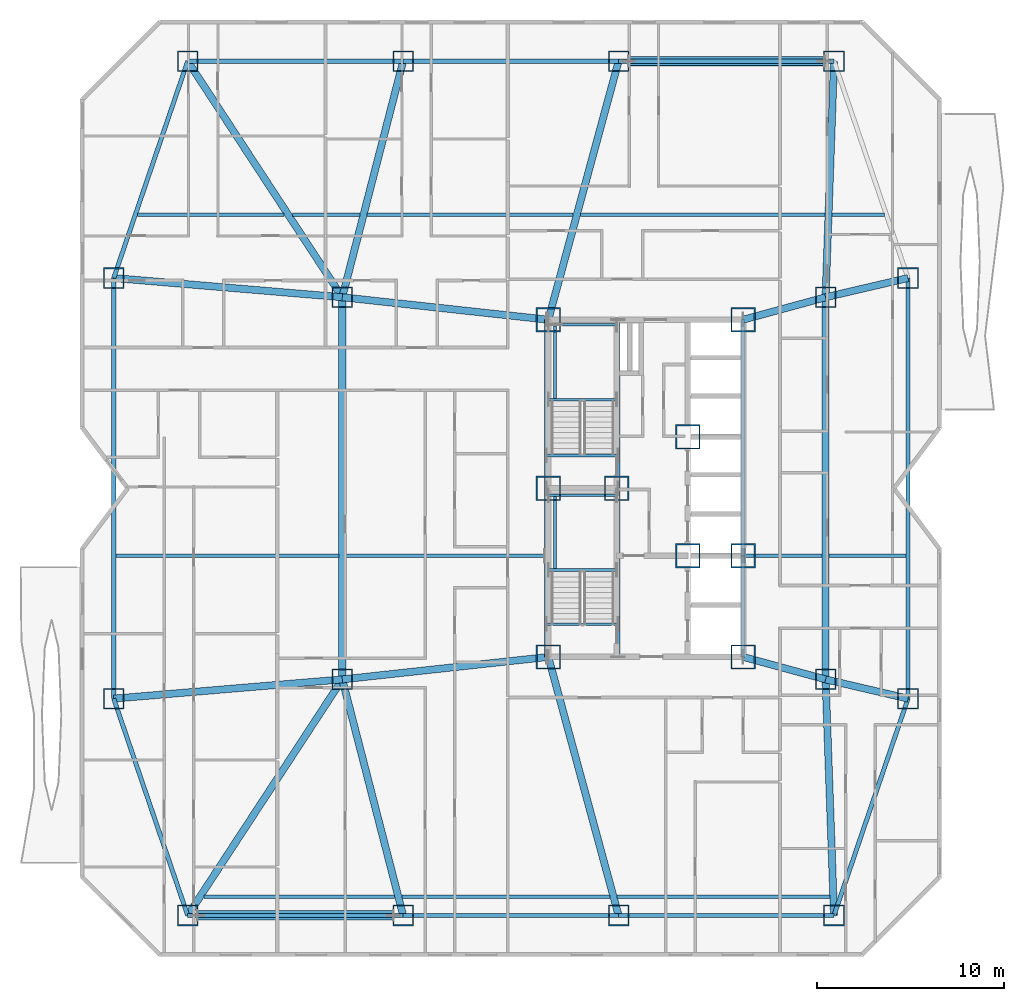
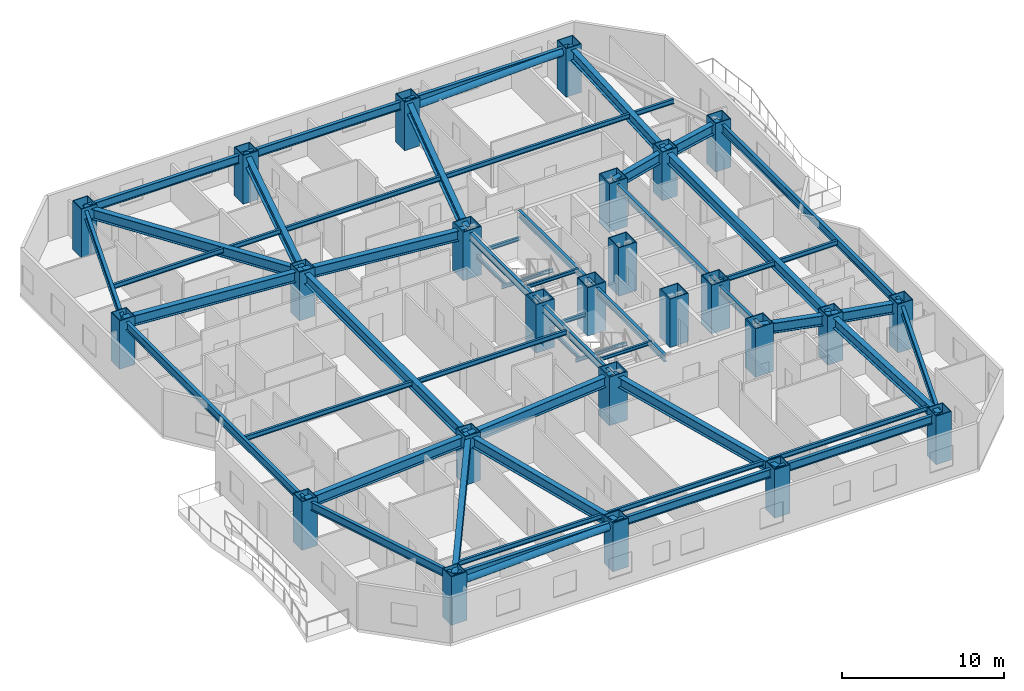
# One storey, part 1 of 16: 55 beams, 25 columns, 2 members.
"""IFC4 building model written with IfcOpenShell, lengths in metres."""

from ifc_helpers import new_model, si_unit, direction, frame, origin, origin_2d, place, context, subcontext, project, spatial, hollow_rectangle, hollow_circle, i_section, extrude, material, material_profile, profile_set, type_object, element, save


model = new_model("IFC4")

# Units and contexts
model_context = context("Model", 3, precision=1e-05, world=origin(), true_north=direction((0.0, 1.0)))
body_context = subcontext(model_context, "Body", "Model", "MODEL_VIEW")
ifc_project = project(units=[si_unit("LENGTHUNIT", "METRE"), si_unit("AREAUNIT", "SQUARE_METRE"), si_unit("VOLUMEUNIT", "CUBIC_METRE"), si_unit("PLANEANGLEUNIT", "RADIAN"), si_unit("MASSUNIT", "GRAM", prefix="KILO")], contexts=[model_context])

# Site, building, storey
site_placement = place(None, origin())
site = spatial("IfcSite", under=ifc_project, at=site_placement, CompositionType="ELEMENT")
building_placement = place(site_placement, origin())
building = spatial("IfcBuilding", under=site, at=building_placement, Name="Khamvora Tower", CompositionType="ELEMENT")
storey_placement = place(building_placement, frame((0.0, 0.0, 66.14990234375)))
storey = spatial("IfcBuildingStorey", under=building, at=storey_placement, Name="L16", CompositionType="ELEMENT", Elevation=66.14990234375)

# Columns
ifc_material_1 = material(Name="Steel S460", Category="steel")
ifc_material_profile_1 = material_profile(ifc_material_1, hollow_rectangle(XDim=1.10009765625, YDim=1.10009765625, WallThickness=0.054931640625, at=origin_2d()), Name="BOX1100x1100x55")
ifc_profile_set_1 = profile_set([ifc_material_profile_1], Name="Steel S460")
column_type_1 = type_object("IfcColumnType", Name="COL-BOX1100", PredefinedType="COLUMN", material=ifc_profile_set_1)
for number, where, z_axis, x_axis, name in (
    (1, (9.75, 5.199951171875, 0.0), (0.0, 0.0, 1.0), (1.0, 0.0, 0.0), "L16 structural frame column S1"),
    (2, (21.25, 5.199951171875, 0.0), (0.0, 0.0, 1.0), (1.0, 0.0, 0.0), "L16 structural frame column S2"),
    (3, (32.75, 5.199951171875, 0.0), (0.0, 0.0, 1.0), (1.0, 0.0, 0.0), "L16 structural frame column S3"),
    (4, (44.25, 5.199951171875, 0.0), (0.0, 0.0, 1.0), (1.0, 0.0, 0.0), "L16 structural frame column S4"),
    (5, (9.75, 50.800048828125, 0.0), (0.0, 0.0, 1.0), (1.0, 0.0, 0.0), "L16 structural frame column N1"),
    (6, (21.25, 50.800048828125, 0.0), (0.0, 0.0, 1.0), (1.0, 0.0, 0.0), "L16 structural frame column N2"),
    (7, (32.75, 50.800048828125, 0.0), (0.0, 0.0, 1.0), (1.0, 0.0, 0.0), "L16 structural frame column N3"),
    (8, (44.25, 50.800048828125, 0.0), (0.0, 0.0, 1.0), (1.0, 0.0, 0.0), "L16 structural frame column N4"),
    (9, (5.800048828125, 16.77490234375, 0.0), (0.0, 0.0, 1.0), (1.0, 0.0, 0.0), "L16 structural frame column W1"),
    (10, (5.800048828125, 39.22509765625, 0.0), (0.0, 0.0, 1.0), (1.0, 0.0, 0.0), "L16 structural frame column W2"),
    (11, (48.199951171875, 16.77490234375, 0.0), (0.0, 0.0, 1.0), (1.0, 0.0, 0.0), "L16 structural frame column E1"),
    (12, (48.199951171875, 39.22509765625, 0.0), (0.0, 0.0, 1.0), (1.0, 0.0, 0.0), "L16 structural frame column E2"),
    (13, (18.0, 17.800048828125, 0.0), (0.0, 0.0, 1.0), (1.0, 0.0, 0.0), "L16 structural frame column MW1"),
    (14, (18.0, 38.199951171875, 0.0), (0.0, 0.0, 1.0), (1.0, 0.0, 0.0), "L16 structural frame column MW2"),
    (15, (43.800048828125, 17.800048828125, 0.0), (0.0, 0.0, 1.0), (1.0, 0.0, 0.0), "L16 structural frame column M1"),
    (16, (43.800048828125, 38.199951171875, 0.0), (0.0, 0.0, 1.0), (1.0, 0.0, 0.0), "L16 structural frame column M2"),
):
    element("IfcColumn", number, at=place(storey_placement, frame(where, z_axis=z_axis, x_axis=x_axis)), inside=storey, type_object=column_type_1, Name=name, PredefinedType="COLUMN", context=body_context, shape_type="SweptSolid", body=[
        extrude(hollow_rectangle(XDim=1.10009765625, YDim=1.10009765625, WallThickness=0.054931640625, at=origin_2d()), origin(), (0.0, 0.0, 1.0), 3.650146484375),
    ])
ifc_material_profile_2 = material_profile(ifc_material_1, hollow_rectangle(XDim=1.300048828125, YDim=1.300048828125, WallThickness=0.06494140625, at=origin_2d()), Name="BOX1300x1300x65")
ifc_profile_set_2 = profile_set([ifc_material_profile_2], Name="Steel S460")
column_type_2 = type_object("IfcColumnType", Name="COL-BOX1300", PredefinedType="COLUMN", material=ifc_profile_set_2)
for number, where, z_axis, x_axis, name in (
    (17, (29.0, 19.0, 0.0), (0.0, 0.0, 1.0), (1.0, 0.0, 0.0), "L16 plumb core spine column SC1"),
    (18, (32.64990234375, 28.0, 0.0), (0.0, 0.0, 1.0), (1.0, 0.0, 0.0), "L16 plumb core spine column SC2"),
    (19, (39.39990234375, 19.0, 0.0), (0.0, 0.0, 1.0), (1.0, 0.0, 0.0), "L16 plumb core spine column SC3"),
    (20, (29.0, 28.0, 0.0), (0.0, 0.0, 1.0), (1.0, 0.0, 0.0), "L16 plumb core spine column SC4"),
    (21, (36.449951171875, 24.39990234375, 0.0), (0.0, 0.0, 1.0), (1.0, 0.0, 0.0), "L16 plumb core spine column SC5"),
    (22, (39.39990234375, 24.39990234375, 0.0), (0.0, 0.0, 1.0), (1.0, 0.0, 0.0), "L16 plumb core spine column SC6"),
    (23, (29.0, 37.0, 0.0), (0.0, 0.0, 1.0), (1.0, 0.0, 0.0), "L16 plumb core spine column SC7"),
    (24, (36.449951171875, 30.75, 0.0), (0.0, 0.0, 1.0), (1.0, 0.0, 0.0), "L16 plumb core spine column SC8"),
    (25, (39.39990234375, 37.0, 0.0), (0.0, 0.0, 1.0), (1.0, 0.0, 0.0), "L16 plumb core spine column SC9"),
):
    element("IfcColumn", number, at=place(storey_placement, frame(where, z_axis=z_axis, x_axis=x_axis)), inside=storey, type_object=column_type_2, Name=name, PredefinedType="COLUMN", context=body_context, shape_type="SweptSolid", body=[
        extrude(hollow_rectangle(XDim=1.300048828125, YDim=1.300048828125, WallThickness=0.06494140625, at=origin_2d()), origin(), (0.0, 0.0, 1.0), 3.650146484375),
    ])

# Beams
ifc_material_2 = material(Name="Steel S355", Category="steel")
ifc_material_profile_3 = material_profile(ifc_material_2, i_section(OverallWidth=0.1708984375, OverallDepth=0.35498046875, WebThickness=0.007080078125, FlangeThickness=0.011962890625, FilletRadius=0.010009765625, at=origin_2d()), Name="W360x51")
ifc_profile_set_3 = profile_set([ifc_material_profile_3], Name="Steel S355")
beam_type_1 = type_object("IfcBeamType", Name="BM-JS-W360x51", PredefinedType="JOIST", material=ifc_profile_set_3)
beam_1_placement = place(storey_placement, frame((10.626953125, 6.199951171875, 3.253173828125), z_axis=(1.0, 0.0, 0.0), x_axis=(0.0, 1.0, 0.0)))
element("IfcBeam", 26, at=beam_1_placement, inside=storey, type_object=beam_type_1, Name="L16 secondary floor joist 01", PredefinedType="JOIST", context=body_context, shape_type="SweptSolid", body=[
    extrude(i_section(OverallWidth=0.1708984375, OverallDepth=0.35498046875, WebThickness=0.007080078125, FlangeThickness=0.011962890625, FilletRadius=0.010009765625, at=origin_2d()), origin(), (0.0, 0.0, 1.0), 10.173095703125),
])
beam_2_placement = place(storey_placement, frame((21.18408203125, 6.199951171875, 3.253173828125), z_axis=(1.0, 0.0, 0.0), x_axis=(0.0, 1.0, 0.0)))
element("IfcBeam", 27, at=beam_2_placement, inside=storey, type_object=beam_type_1, Name="L16 secondary floor joist 02", PredefinedType="JOIST", context=body_context, shape_type="SweptSolid", body=[
    extrude(i_section(OverallWidth=0.1708984375, OverallDepth=0.35498046875, WebThickness=0.007080078125, FlangeThickness=0.011962890625, FilletRadius=0.010009765625, at=origin_2d()), origin(), (0.0, 0.0, 1.0), 11.101806640625),
])
beam_3_placement = place(storey_placement, frame((32.6708984375, 6.199951171875, 3.253173828125), z_axis=(1.0, 0.0, 0.0), x_axis=(0.0, 1.0, 0.0)))
element("IfcBeam", 28, at=beam_3_placement, inside=storey, type_object=beam_type_1, Name="L16 secondary floor joist 03", PredefinedType="JOIST", context=body_context, shape_type="SweptSolid", body=[
    extrude(i_section(OverallWidth=0.1708984375, OverallDepth=0.35498046875, WebThickness=0.007080078125, FlangeThickness=0.011962890625, FilletRadius=0.010009765625, at=origin_2d()), origin(), (0.0, 0.0, 1.0), 11.358154296875),
])
beam_4_placement = place(storey_placement, frame((5.909912109375, 24.39990234375, 3.253173828125), z_axis=(1.0, 0.0, 0.0), x_axis=(0.0, 1.0, 0.0)))
element("IfcBeam", 29, at=beam_4_placement, inside=storey, type_object=beam_type_1, Name="L16 secondary floor joist 04", PredefinedType="JOIST", context=body_context, shape_type="SweptSolid", body=[
    extrude(i_section(OverallWidth=0.1708984375, OverallDepth=0.35498046875, WebThickness=0.007080078125, FlangeThickness=0.011962890625, FilletRadius=0.010009765625, at=origin_2d()), origin(), (0.0, 0.0, 1.0), 11.904052734375),
])
beam_5_placement = place(storey_placement, frame((18.18603515625, 24.39990234375, 3.253173828125), z_axis=(1.0, 0.0, 0.0), x_axis=(0.0, 1.0, 0.0)))
element("IfcBeam", 30, at=beam_5_placement, inside=storey, type_object=beam_type_1, Name="L16 secondary floor joist 05", PredefinedType="JOIST", context=body_context, shape_type="SweptSolid", body=[
    extrude(i_section(OverallWidth=0.1708984375, OverallDepth=0.35498046875, WebThickness=0.007080078125, FlangeThickness=0.011962890625, FilletRadius=0.010009765625, at=origin_2d()), origin(), (0.0, 0.0, 1.0), 10.614013671875),
])
beam_6_placement = place(storey_placement, frame((39.4990234375, 24.39990234375, 3.253173828125), z_axis=(1.0, 0.0, 0.0), x_axis=(0.0, 1.0, 0.0)))
element("IfcBeam", 31, at=beam_6_placement, inside=storey, type_object=beam_type_1, Name="L16 secondary floor joist 06", PredefinedType="JOIST", context=body_context, shape_type="SweptSolid", body=[
    extrude(i_section(OverallWidth=0.1708984375, OverallDepth=0.35498046875, WebThickness=0.007080078125, FlangeThickness=0.011962890625, FilletRadius=0.010009765625, at=origin_2d()), origin(), (0.0, 0.0, 1.0), 4.114990234375),
])
beam_7_placement = place(storey_placement, frame((43.985107421875, 24.39990234375, 3.253173828125), z_axis=(1.0, 0.0, 0.0), x_axis=(0.0, 1.0, 0.0)))
element("IfcBeam", 32, at=beam_7_placement, inside=storey, type_object=beam_type_1, Name="L16 secondary floor joist 07", PredefinedType="JOIST", context=body_context, shape_type="SweptSolid", body=[
    extrude(i_section(OverallWidth=0.1708984375, OverallDepth=0.35498046875, WebThickness=0.007080078125, FlangeThickness=0.011962890625, FilletRadius=0.010009765625, at=origin_2d()), origin(), (0.0, 0.0, 1.0), 4.10498046875),
])
beam_8_placement = place(storey_placement, frame((7.068115234375, 42.60009765625, 3.253173828125), z_axis=(1.0, 0.0, 0.0), x_axis=(0.0, 1.0, 0.0)))
element("IfcBeam", 33, at=beam_8_placement, inside=storey, type_object=beam_type_1, Name="L16 secondary floor joist 08", PredefinedType="JOIST", context=body_context, shape_type="SweptSolid", body=[
    extrude(i_section(OverallWidth=0.1708984375, OverallDepth=0.35498046875, WebThickness=0.007080078125, FlangeThickness=0.011962890625, FilletRadius=0.010009765625, at=origin_2d()), origin(), (0.0, 0.0, 1.0), 7.827880859375),
])
beam_9_placement = place(storey_placement, frame((15.342041015625, 42.60009765625, 3.253173828125), z_axis=(1.0, 0.0, 0.0), x_axis=(0.0, 1.0, 0.0)))
element("IfcBeam", 34, at=beam_9_placement, inside=storey, type_object=beam_type_1, Name="L16 secondary floor joist 09", PredefinedType="JOIST", context=body_context, shape_type="SweptSolid", body=[
    extrude(i_section(OverallWidth=0.1708984375, OverallDepth=0.35498046875, WebThickness=0.007080078125, FlangeThickness=0.011962890625, FilletRadius=0.010009765625, at=origin_2d()), origin(), (0.0, 0.0, 1.0), 3.60107421875),
])
beam_10_placement = place(storey_placement, frame((19.326904296875, 42.60009765625, 3.253173828125), z_axis=(1.0, 0.0, 0.0), x_axis=(0.0, 1.0, 0.0)))
element("IfcBeam", 35, at=beam_10_placement, inside=storey, type_object=beam_type_1, Name="L16 secondary floor joist 10", PredefinedType="JOIST", context=body_context, shape_type="SweptSolid", body=[
    extrude(i_section(OverallWidth=0.1708984375, OverallDepth=0.35498046875, WebThickness=0.007080078125, FlangeThickness=0.011962890625, FilletRadius=0.010009765625, at=origin_2d()), origin(), (0.0, 0.0, 1.0), 11.002197265625),
])
beam_11_placement = place(storey_placement, frame((30.714111328125, 42.60009765625, 3.253173828125), z_axis=(1.0, 0.0, 0.0), x_axis=(0.0, 1.0, 0.0)))
element("IfcBeam", 36, at=beam_11_placement, inside=storey, type_object=beam_type_1, Name="L16 secondary floor joist 11", PredefinedType="JOIST", context=body_context, shape_type="SweptSolid", body=[
    extrude(i_section(OverallWidth=0.1708984375, OverallDepth=0.35498046875, WebThickness=0.007080078125, FlangeThickness=0.011962890625, FilletRadius=0.010009765625, at=origin_2d()), origin(), (0.0, 0.0, 1.0), 13.057861328125),
])
beam_12_placement = place(storey_placement, frame((44.14306640625, 42.60009765625, 3.253173828125), z_axis=(1.0, 0.0, 0.0), x_axis=(0.0, 1.0, 0.0)))
element("IfcBeam", 37, at=beam_12_placement, inside=storey, type_object=beam_type_1, Name="L16 secondary floor joist 12", PredefinedType="JOIST", context=body_context, shape_type="SweptSolid", body=[
    extrude(i_section(OverallWidth=0.1708984375, OverallDepth=0.35498046875, WebThickness=0.007080078125, FlangeThickness=0.011962890625, FilletRadius=0.010009765625, at=origin_2d()), origin(), (0.0, 0.0, 1.0), 2.788818359375),
])
ifc_material_profile_4 = material_profile(ifc_material_2, i_section(OverallWidth=0.14697265625, OverallDepth=0.261962890625, WebThickness=0.007080078125, FlangeThickness=0.010986328125, FilletRadius=0.008056640625, at=origin_2d()), Name="W250x39")
ifc_profile_set_4 = profile_set([ifc_material_profile_4], Name="Steel S355")
beam_type_2 = type_object("IfcBeamType", Name="BM-LN-W250x39", PredefinedType="LINTEL", material=ifc_profile_set_4)
for number, where, z_axis, x_axis, name in (
    (38, (29.0, 23.635009765625, 1.494140625), (1.0, 0.0, 0.0), (0.0, 1.0, 0.0), "L16 ST-01 half-landing support beam 1.1"),
    (39, (29.0, 27.6298828125, 1.494140625), (1.0, 0.0, 0.0), (0.0, 1.0, 0.0), "L16 ST-01 half-landing support beam 1.2"),
):
    element("IfcBeam", number, at=place(storey_placement, frame(where, z_axis=z_axis, x_axis=x_axis)), inside=storey, type_object=beam_type_2, Name=name, PredefinedType="LINTEL", context=body_context, shape_type="SweptSolid", body=[
        extrude(i_section(OverallWidth=0.14697265625, OverallDepth=0.261962890625, WebThickness=0.007080078125, FlangeThickness=0.010986328125, FilletRadius=0.008056640625, at=origin_2d()), origin(), (0.0, 0.0, 1.0), 3.64990234375),
    ])
beam_13_placement = place(storey_placement, frame((29.35009765625, 23.635009765625, 1.494140625), z_axis=(0.0, 1.0, 0.0), x_axis=(-1.0, 0.0, 0.0)))
element("IfcBeam", 40, at=beam_13_placement, inside=storey, type_object=beam_type_2, Name="L16 ST-01 half-landing edge stringer 1", PredefinedType="LINTEL", context=body_context, shape_type="SweptSolid", body=[
    extrude(i_section(OverallWidth=0.14697265625, OverallDepth=0.261962890625, WebThickness=0.007080078125, FlangeThickness=0.010986328125, FilletRadius=0.008056640625, at=origin_2d()), origin(), (0.0, 0.0, 1.0), 3.994873046875),
])
for number, where, z_axis, x_axis, name in (
    (41, (29.0, 32.735107421875, 1.494140625), (1.0, 0.0, 0.0), (0.0, 1.0, 0.0), "L16 ST-02 half-landing support beam 1.1"),
    (42, (29.0, 36.72998046875, 1.494140625), (1.0, 0.0, 0.0), (0.0, 1.0, 0.0), "L16 ST-02 half-landing support beam 1.2"),
):
    element("IfcBeam", number, at=place(storey_placement, frame(where, z_axis=z_axis, x_axis=x_axis)), inside=storey, type_object=beam_type_2, Name=name, PredefinedType="LINTEL", context=body_context, shape_type="SweptSolid", body=[
        extrude(i_section(OverallWidth=0.14697265625, OverallDepth=0.261962890625, WebThickness=0.007080078125, FlangeThickness=0.010986328125, FilletRadius=0.008056640625, at=origin_2d()), origin(), (0.0, 0.0, 1.0), 3.64990234375),
    ])
beam_14_placement = place(storey_placement, frame((29.35009765625, 32.735107421875, 1.494140625), z_axis=(0.0, 1.0, 0.0), x_axis=(-1.0, 0.0, 0.0)))
element("IfcBeam", 43, at=beam_14_placement, inside=storey, type_object=beam_type_2, Name="L16 ST-02 half-landing edge stringer 1", PredefinedType="LINTEL", context=body_context, shape_type="SweptSolid", body=[
    extrude(i_section(OverallWidth=0.14697265625, OverallDepth=0.261962890625, WebThickness=0.007080078125, FlangeThickness=0.010986328125, FilletRadius=0.008056640625, at=origin_2d()), origin(), (0.0, 0.0, 1.0), 3.994873046875),
])
for number, where, z_axis, x_axis, name in (
    (44, (28.89990234375, 20.75, 3.30419921875), (1.0, 0.0, 0.0), (0.0, 1.0, 0.0), "L16 exit stair ST-01 landing trimmer beam"),
    (45, (28.89990234375, 29.75, 3.30419921875), (1.0, 0.0, 0.0), (0.0, 1.0, 0.0), "L16 exit stair ST-02 landing trimmer beam"),
):
    element("IfcBeam", number, at=place(storey_placement, frame(where, z_axis=z_axis, x_axis=x_axis)), inside=storey, type_object=beam_type_2, Name=name, PredefinedType="LINTEL", context=body_context, shape_type="SweptSolid", body=[
        extrude(i_section(OverallWidth=0.14697265625, OverallDepth=0.261962890625, WebThickness=0.007080078125, FlangeThickness=0.010986328125, FilletRadius=0.008056640625, at=origin_2d()), origin(), (0.0, 0.0, 1.0), 3.830078125),
    ])
ifc_material_profile_5 = material_profile(ifc_material_2, i_section(OverallWidth=0.381103515625, OverallDepth=0.77294921875, WebThickness=0.01708984375, FlangeThickness=0.027099609375, FilletRadius=0.01806640625, at=origin_2d()), Name="W760x257")
ifc_profile_set_5 = profile_set([ifc_material_profile_5], Name="Steel S355")
beam_type_3 = type_object("IfcBeamType", Name="BM-PG-W760x257", PredefinedType="BEAM", material=ifc_profile_set_5)
for number, where, z_axis, x_axis, name in (
    (46, (43.800048828125, 17.800048828125, 3.044189453125), (0.0, 1.0, 0.0), (-1.0, 0.0, 0.0), "L16 longitudinal frame girder M1-M2"),
    (47, (18.0, 17.800048828125, 3.044189453125), (0.0, 1.0, 0.0), (-1.0, 0.0, 0.0), "L16 longitudinal frame girder MW1-MW2"),
):
    element("IfcBeam", number, at=place(storey_placement, frame(where, z_axis=z_axis, x_axis=x_axis)), inside=storey, type_object=beam_type_3, Name=name, PredefinedType="BEAM", context=body_context, shape_type="SweptSolid", body=[
        extrude(i_section(OverallWidth=0.381103515625, OverallDepth=0.77294921875, WebThickness=0.01708984375, FlangeThickness=0.027099609375, FilletRadius=0.01806640625, at=origin_2d()), origin(), (0.0, 0.0, 1.0), 20.39990234375),
    ])
beam_15_placement = place(storey_placement, frame((18.0, 17.800048828125, 3.044189453125), z_axis=(-0.547782969742, -0.836620474325, 0.0), x_axis=(0.836620474325, -0.547782969742, 0.0)))
element("IfcBeam", 48, at=beam_15_placement, inside=storey, type_object=beam_type_3, Name="L16 primary floor girder S1", PredefinedType="BEAM", context=body_context, shape_type="SweptSolid", body=[
    extrude(i_section(OverallWidth=0.381103515625, OverallDepth=0.77294921875, WebThickness=0.01708984375, FlangeThickness=0.027099609375, FilletRadius=0.01806640625, at=origin_2d()), origin(), (0.0, 0.0, 1.0), 15.060791015625),
])
beam_16_placement = place(storey_placement, frame((18.0, 17.800048828125, 3.044189453125), z_axis=(0.249759990341, -0.968307775051, 0.0), x_axis=(0.968307775051, 0.249759990341, 0.0)))
element("IfcBeam", 49, at=beam_16_placement, inside=storey, type_object=beam_type_3, Name="L16 primary floor girder S2", PredefinedType="BEAM", context=body_context, shape_type="SweptSolid", body=[
    extrude(i_section(OverallWidth=0.381103515625, OverallDepth=0.77294921875, WebThickness=0.01708984375, FlangeThickness=0.027099609375, FilletRadius=0.01806640625, at=origin_2d()), origin(), (0.0, 0.0, 1.0), 13.012451171875),
])
beam_17_placement = place(storey_placement, frame((29.0, 19.0, 3.044189453125), z_axis=(0.262228883577, -0.965005706003, 0.0), x_axis=(0.965005706003, 0.262228883577, 0.0)))
element("IfcBeam", 50, at=beam_17_placement, inside=storey, type_object=beam_type_3, Name="L16 primary floor girder S3", PredefinedType="BEAM", context=body_context, shape_type="SweptSolid", body=[
    extrude(i_section(OverallWidth=0.381103515625, OverallDepth=0.77294921875, WebThickness=0.01708984375, FlangeThickness=0.027099609375, FilletRadius=0.01806640625, at=origin_2d()), origin(), (0.0, 0.0, 1.0), 14.300537109375),
])
beam_18_placement = place(storey_placement, frame((43.800048828125, 17.800048828125, 3.044189453125), z_axis=(0.035687386423, -0.999363002342, 0.0), x_axis=(0.999363002342, 0.035687386423, 0.0)))
element("IfcBeam", 51, at=beam_18_placement, inside=storey, type_object=beam_type_3, Name="L16 primary floor girder S4", PredefinedType="BEAM", context=body_context, shape_type="SweptSolid", body=[
    extrude(i_section(OverallWidth=0.381103515625, OverallDepth=0.77294921875, WebThickness=0.01708984375, FlangeThickness=0.027099609375, FilletRadius=0.01806640625, at=origin_2d()), origin(), (0.0, 0.0, 1.0), 12.608154296875),
])
beam_19_placement = place(storey_placement, frame((18.0, 38.199951171875, 3.044189453125), z_axis=(-0.547782969742, 0.836620474325, 0.0), x_axis=(-0.836620474325, -0.547782969742, 0.0)))
element("IfcBeam", 52, at=beam_19_placement, inside=storey, type_object=beam_type_3, Name="L16 primary floor girder N1", PredefinedType="BEAM", context=body_context, shape_type="SweptSolid", body=[
    extrude(i_section(OverallWidth=0.381103515625, OverallDepth=0.77294921875, WebThickness=0.01708984375, FlangeThickness=0.027099609375, FilletRadius=0.01806640625, at=origin_2d()), origin(), (0.0, 0.0, 1.0), 15.060791015625),
])
beam_20_placement = place(storey_placement, frame((18.0, 38.199951171875, 3.044189453125), z_axis=(0.249759990341, 0.968307775051, 0.0), x_axis=(-0.968307775051, 0.249759990341, 0.0)))
element("IfcBeam", 53, at=beam_20_placement, inside=storey, type_object=beam_type_3, Name="L16 primary floor girder N2", PredefinedType="BEAM", context=body_context, shape_type="SweptSolid", body=[
    extrude(i_section(OverallWidth=0.381103515625, OverallDepth=0.77294921875, WebThickness=0.01708984375, FlangeThickness=0.027099609375, FilletRadius=0.01806640625, at=origin_2d()), origin(), (0.0, 0.0, 1.0), 13.012451171875),
])
beam_21_placement = place(storey_placement, frame((29.0, 37.0, 3.044189453125), z_axis=(0.262228883577, 0.965005706003, 0.0), x_axis=(-0.965005706003, 0.262228883577, 0.0)))
element("IfcBeam", 54, at=beam_21_placement, inside=storey, type_object=beam_type_3, Name="L16 primary floor girder N3", PredefinedType="BEAM", context=body_context, shape_type="SweptSolid", body=[
    extrude(i_section(OverallWidth=0.381103515625, OverallDepth=0.77294921875, WebThickness=0.01708984375, FlangeThickness=0.027099609375, FilletRadius=0.01806640625, at=origin_2d()), origin(), (0.0, 0.0, 1.0), 14.300537109375),
])
beam_22_placement = place(storey_placement, frame((43.800048828125, 38.199951171875, 3.044189453125), z_axis=(0.035687386423, 0.999363002342, 0.0), x_axis=(-0.999363002342, 0.035687386423, 0.0)))
element("IfcBeam", 55, at=beam_22_placement, inside=storey, type_object=beam_type_3, Name="L16 primary floor girder N4", PredefinedType="BEAM", context=body_context, shape_type="SweptSolid", body=[
    extrude(i_section(OverallWidth=0.381103515625, OverallDepth=0.77294921875, WebThickness=0.01708984375, FlangeThickness=0.027099609375, FilletRadius=0.01806640625, at=origin_2d()), origin(), (0.0, 0.0, 1.0), 12.608154296875),
])
for number, where, z_axis, x_axis, name in (
    (56, (18.0, 17.800048828125, 3.044189453125), (-0.996488172114, -0.083733642207, 0.0), (0.083733642207, -0.996488172114, 0.0), "L16 primary floor girder W1"),
    (57, (18.0, 38.199951171875, 3.044189453125), (-0.996488172114, 0.083733642207, 0.0), (-0.083733642207, -0.996488172114, 0.0), "L16 primary floor girder W2"),
):
    element("IfcBeam", number, at=place(storey_placement, frame(where, z_axis=z_axis, x_axis=x_axis)), inside=storey, type_object=beam_type_3, Name=name, PredefinedType="BEAM", context=body_context, shape_type="SweptSolid", body=[
        extrude(i_section(OverallWidth=0.381103515625, OverallDepth=0.77294921875, WebThickness=0.01708984375, FlangeThickness=0.027099609375, FilletRadius=0.01806640625, at=origin_2d()), origin(), (0.0, 0.0, 1.0), 12.242919921875),
    ])
for number, where, z_axis, x_axis, name in (
    (58, (43.800048828125, 17.800048828125, 3.044189453125), (0.973914503503, -0.226915270237, 0.0), (0.226915270237, 0.973914503503, 0.0), "L16 primary floor girder E1"),
    (59, (43.800048828125, 38.199951171875, 3.044189453125), (0.973914503503, 0.226915270237, 0.0), (-0.226915270237, 0.973914503503, 0.0), "L16 primary floor girder E2"),
):
    element("IfcBeam", number, at=place(storey_placement, frame(where, z_axis=z_axis, x_axis=x_axis)), inside=storey, type_object=beam_type_3, Name=name, PredefinedType="BEAM", context=body_context, shape_type="SweptSolid", body=[
        extrude(i_section(OverallWidth=0.381103515625, OverallDepth=0.77294921875, WebThickness=0.01708984375, FlangeThickness=0.027099609375, FilletRadius=0.01806640625, at=origin_2d()), origin(), (0.0, 0.0, 1.0), 4.517822265625),
    ])
for number, where, z_axis, x_axis, name in (
    (60, (29.0, 19.0, 3.044189453125), (-0.994102652327, -0.108443149329, 0.0), (0.108443149329, -0.994102652327, 0.0), "L16 primary floor girder MW1"),
    (61, (29.0, 37.0, 3.044189453125), (-0.994102652327, 0.108443149329, 0.0), (-0.108443149329, -0.994102652327, 0.0), "L16 primary floor girder MW2"),
):
    element("IfcBeam", number, at=place(storey_placement, frame(where, z_axis=z_axis, x_axis=x_axis)), inside=storey, type_object=beam_type_3, Name=name, PredefinedType="BEAM", context=body_context, shape_type="SweptSolid", body=[
        extrude(i_section(OverallWidth=0.381103515625, OverallDepth=0.77294921875, WebThickness=0.01708984375, FlangeThickness=0.027099609375, FilletRadius=0.01806640625, at=origin_2d()), origin(), (0.0, 0.0, 1.0), 11.065185546875),
    ])
for number, where, z_axis, x_axis, name in (
    (62, (39.39990234375, 19.0, 3.044189453125), (0.964768762286, -0.263099287945, 0.0), (0.263099287945, 0.964768762286, 0.0), "L16 primary floor girder M1"),
    (63, (39.39990234375, 37.0, 3.044189453125), (0.964768762286, 0.263099287945, 0.0), (-0.263099287945, 0.964768762286, 0.0), "L16 primary floor girder M2"),
):
    element("IfcBeam", number, at=place(storey_placement, frame(where, z_axis=z_axis, x_axis=x_axis)), inside=storey, type_object=beam_type_3, Name=name, PredefinedType="BEAM", context=body_context, shape_type="SweptSolid", body=[
        extrude(i_section(OverallWidth=0.381103515625, OverallDepth=0.77294921875, WebThickness=0.01708984375, FlangeThickness=0.027099609375, FilletRadius=0.01806640625, at=origin_2d()), origin(), (0.0, 0.0, 1.0), 4.560791015625),
    ])
ifc_material_profile_6 = material_profile(ifc_material_2, i_section(OverallWidth=0.208984375, OverallDepth=0.532958984375, WebThickness=0.010009765625, FlangeThickness=0.01611328125, FilletRadius=0.013916015625, at=origin_2d()), Name="W530x92")
ifc_profile_set_6 = profile_set([ifc_material_profile_6], Name="Steel S355")
beam_type_4 = type_object("IfcBeamType", Name="BM-SP-W530x92", PredefinedType="SPANDREL", material=ifc_profile_set_6)
for number, where, z_axis, x_axis, name in (
    (64, (28.89990234375, 19.0, 3.1640625), (0.0, 1.0, 0.0), (-1.0, 0.0, 0.0), "L16 core spine girder WS"),
    (65, (28.89990234375, 28.0, 3.1640625), (0.0, 1.0, 0.0), (-1.0, 0.0, 0.0), "L16 core spine girder WN"),
    (66, (32.72998046875, 19.0, 3.1640625), (0.0, 1.0, 0.0), (-1.0, 0.0, 0.0), "L16 core spine girder M1S"),
    (67, (32.72998046875, 28.0, 3.1640625), (0.0, 1.0, 0.0), (-1.0, 0.0, 0.0), "L16 core spine girder M1N"),
):
    element("IfcBeam", number, at=place(storey_placement, frame(where, z_axis=z_axis, x_axis=x_axis)), inside=storey, type_object=beam_type_4, Name=name, PredefinedType="SPANDREL", context=body_context, shape_type="SweptSolid", body=[
        extrude(i_section(OverallWidth=0.208984375, OverallDepth=0.532958984375, WebThickness=0.010009765625, FlangeThickness=0.01611328125, FilletRadius=0.013916015625, at=origin_2d()), origin(), (0.0, 0.0, 1.0), 9.0),
    ])
beam_23_placement = place(storey_placement, frame((39.39990234375, 19.0, 3.1640625), z_axis=(0.0, 1.0, 0.0), x_axis=(-1.0, 0.0, 0.0)))
element("IfcBeam", 68, at=beam_23_placement, inside=storey, type_object=beam_type_4, Name="L16 core spine girder ES", PredefinedType="SPANDREL", context=body_context, shape_type="SweptSolid", body=[
    extrude(i_section(OverallWidth=0.208984375, OverallDepth=0.532958984375, WebThickness=0.010009765625, FlangeThickness=0.01611328125, FilletRadius=0.013916015625, at=origin_2d()), origin(), (0.0, 0.0, 1.0), 5.39990234375),
])
beam_24_placement = place(storey_placement, frame((39.39990234375, 24.39990234375, 3.1640625), z_axis=(0.0, 1.0, 0.0), x_axis=(-1.0, 0.0, 0.0)))
element("IfcBeam", 69, at=beam_24_placement, inside=storey, type_object=beam_type_4, Name="L16 core spine girder EN", PredefinedType="SPANDREL", context=body_context, shape_type="SweptSolid", body=[
    extrude(i_section(OverallWidth=0.208984375, OverallDepth=0.532958984375, WebThickness=0.010009765625, FlangeThickness=0.01611328125, FilletRadius=0.013916015625, at=origin_2d()), origin(), (0.0, 0.0, 1.0), 12.60009765625),
])
ifc_material_profile_7 = material_profile(ifc_material_2, i_section(OverallWidth=0.22998046875, OverallDepth=0.616943359375, WebThickness=0.012939453125, FlangeThickness=0.02197265625, FilletRadius=0.013916015625, at=origin_2d()), Name="W610x140")
ifc_profile_set_7 = profile_set([ifc_material_profile_7], Name="Steel S355")
beam_type_5 = type_object("IfcBeamType", Name="BM-SP-W610x140", PredefinedType="SPANDREL", material=ifc_profile_set_7)
beam_25_placement = place(storey_placement, frame((5.800048828125, 16.77490234375, 3.1220703125), z_axis=(0.322962893199, -0.946411628002, 0.0), x_axis=(0.946411628002, 0.322962893199, 0.0)))
element("IfcBeam", 70, at=beam_25_placement, inside=storey, type_object=beam_type_5, Name="L16 perimeter spandrel beam W1-S1", PredefinedType="SPANDREL", context=body_context, shape_type="SweptSolid", body=[
    extrude(i_section(OverallWidth=0.22998046875, OverallDepth=0.616943359375, WebThickness=0.012939453125, FlangeThickness=0.02197265625, FilletRadius=0.013916015625, at=origin_2d()), origin(), (0.0, 0.0, 1.0), 12.23046875),
])
for number, where, z_axis, x_axis, name in (
    (71, (9.75, 5.199951171875, 3.1220703125), (1.0, 0.0, 0.0), (0.0, 1.0, 0.0), "L16 perimeter spandrel beam S1-S2"),
    (72, (21.25, 5.199951171875, 3.1220703125), (1.0, 0.0, 0.0), (0.0, 1.0, 0.0), "L16 perimeter spandrel beam S2-S3"),
    (73, (32.75, 5.199951171875, 3.1220703125), (1.0, 0.0, 0.0), (0.0, 1.0, 0.0), "L16 perimeter spandrel beam S3-S4"),
):
    element("IfcBeam", number, at=place(storey_placement, frame(where, z_axis=z_axis, x_axis=x_axis)), inside=storey, type_object=beam_type_5, Name=name, PredefinedType="SPANDREL", context=body_context, shape_type="SweptSolid", body=[
        extrude(i_section(OverallWidth=0.22998046875, OverallDepth=0.616943359375, WebThickness=0.012939453125, FlangeThickness=0.02197265625, FilletRadius=0.013916015625, at=origin_2d()), origin(), (0.0, 0.0, 1.0), 11.5),
    ])
beam_26_placement = place(storey_placement, frame((44.25, 5.199951171875, 3.1220703125), z_axis=(0.322962893199, 0.946411628002, 0.0), x_axis=(-0.946411628002, 0.322962893199, 0.0)))
element("IfcBeam", 74, at=beam_26_placement, inside=storey, type_object=beam_type_5, Name="L16 perimeter spandrel beam S4-E1", PredefinedType="SPANDREL", context=body_context, shape_type="SweptSolid", body=[
    extrude(i_section(OverallWidth=0.22998046875, OverallDepth=0.616943359375, WebThickness=0.012939453125, FlangeThickness=0.02197265625, FilletRadius=0.013916015625, at=origin_2d()), origin(), (0.0, 0.0, 1.0), 12.23046875),
])
beam_27_placement = place(storey_placement, frame((48.199951171875, 16.77490234375, 3.1220703125), z_axis=(0.0, 1.0, 0.0), x_axis=(-1.0, 0.0, 0.0)))
element("IfcBeam", 75, at=beam_27_placement, inside=storey, type_object=beam_type_5, Name="L16 perimeter spandrel beam E1-E2", PredefinedType="SPANDREL", context=body_context, shape_type="SweptSolid", body=[
    extrude(i_section(OverallWidth=0.22998046875, OverallDepth=0.616943359375, WebThickness=0.012939453125, FlangeThickness=0.02197265625, FilletRadius=0.013916015625, at=origin_2d()), origin(), (0.0, 0.0, 1.0), 22.4501953125),
])
for number, where, z_axis, x_axis, name in (
    (76, (44.25, 50.800048828125, 3.1220703125), (-1.0, 0.0, 0.0), (0.0, -1.0, 0.0), "L16 perimeter spandrel beam N4-N3"),
    (77, (32.75, 50.800048828125, 3.1220703125), (-1.0, 0.0, 0.0), (0.0, -1.0, 0.0), "L16 perimeter spandrel beam N3-N2"),
    (78, (21.25, 50.800048828125, 3.1220703125), (-1.0, 0.0, 0.0), (0.0, -1.0, 0.0), "L16 perimeter spandrel beam N2-N1"),
):
    element("IfcBeam", number, at=place(storey_placement, frame(where, z_axis=z_axis, x_axis=x_axis)), inside=storey, type_object=beam_type_5, Name=name, PredefinedType="SPANDREL", context=body_context, shape_type="SweptSolid", body=[
        extrude(i_section(OverallWidth=0.22998046875, OverallDepth=0.616943359375, WebThickness=0.012939453125, FlangeThickness=0.02197265625, FilletRadius=0.013916015625, at=origin_2d()), origin(), (0.0, 0.0, 1.0), 11.5),
    ])
beam_28_placement = place(storey_placement, frame((9.75, 50.800048828125, 3.1220703125), z_axis=(-0.322962893199, -0.946411628002, 0.0), x_axis=(0.946411628002, -0.322962893199, 0.0)))
element("IfcBeam", 79, at=beam_28_placement, inside=storey, type_object=beam_type_5, Name="L16 perimeter spandrel beam N1-W2", PredefinedType="SPANDREL", context=body_context, shape_type="SweptSolid", body=[
    extrude(i_section(OverallWidth=0.22998046875, OverallDepth=0.616943359375, WebThickness=0.012939453125, FlangeThickness=0.02197265625, FilletRadius=0.013916015625, at=origin_2d()), origin(), (0.0, 0.0, 1.0), 12.23046875),
])
beam_29_placement = place(storey_placement, frame((5.800048828125, 39.22509765625, 3.1220703125), z_axis=(0.0, -1.0, 0.0), x_axis=(1.0, 0.0, 0.0)))
element("IfcBeam", 80, at=beam_29_placement, inside=storey, type_object=beam_type_5, Name="L16 perimeter spandrel beam W2-W1", PredefinedType="SPANDREL", context=body_context, shape_type="SweptSolid", body=[
    extrude(i_section(OverallWidth=0.22998046875, OverallDepth=0.616943359375, WebThickness=0.012939453125, FlangeThickness=0.02197265625, FilletRadius=0.013916015625, at=origin_2d()), origin(), (0.0, 0.0, 1.0), 22.4501953125),
])

# Members
ifc_material_profile_8 = material_profile(ifc_material_1, hollow_circle(Radius=0.25390625, WallThickness=0.02490234375, at=origin_2d()), Name="CHS508x25")
ifc_profile_set_8 = profile_set([ifc_material_profile_8], Name="Steel S460")
member_type = type_object("IfcMemberType", Name="MEM-BR-CHS508", PredefinedType="BRACE", material=ifc_profile_set_8)
for number, where, z_axis, x_axis, name in (
    (81, (10.280029296875, 5.199951171875, 2.7001953125), (0.999260000591, 0.0, 0.038463635026), (0.0, 1.0, 0.0), "L16 perimeter wind brace 1"),
    (82, (33.280029296875, 50.800048828125, 2.7001953125), (0.999260000591, 0.0, 0.038463635026), (0.0, 1.0, 0.0), "L16 perimeter wind brace 2"),
):
    element("IfcMember", number, at=place(storey_placement, frame(where, z_axis=z_axis, x_axis=x_axis)), inside=storey, type_object=member_type, Name=name, PredefinedType="BRACE", context=body_context, shape_type="SweptSolid", body=[
        extrude(hollow_circle(Radius=0.25390625, WallThickness=0.02490234375, at=origin_2d()), origin(), (0.0, 0.0, 1.0), 10.44775390625),
    ])

save(model, "model.ifc")
